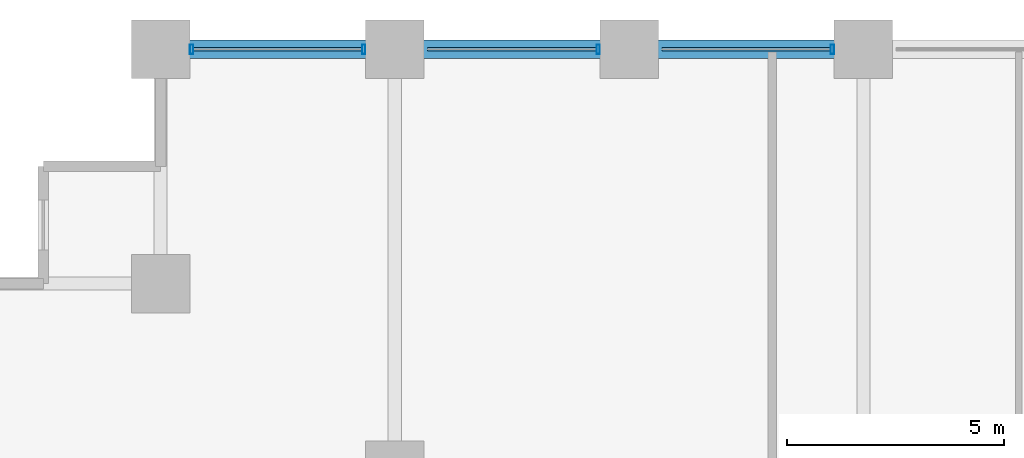
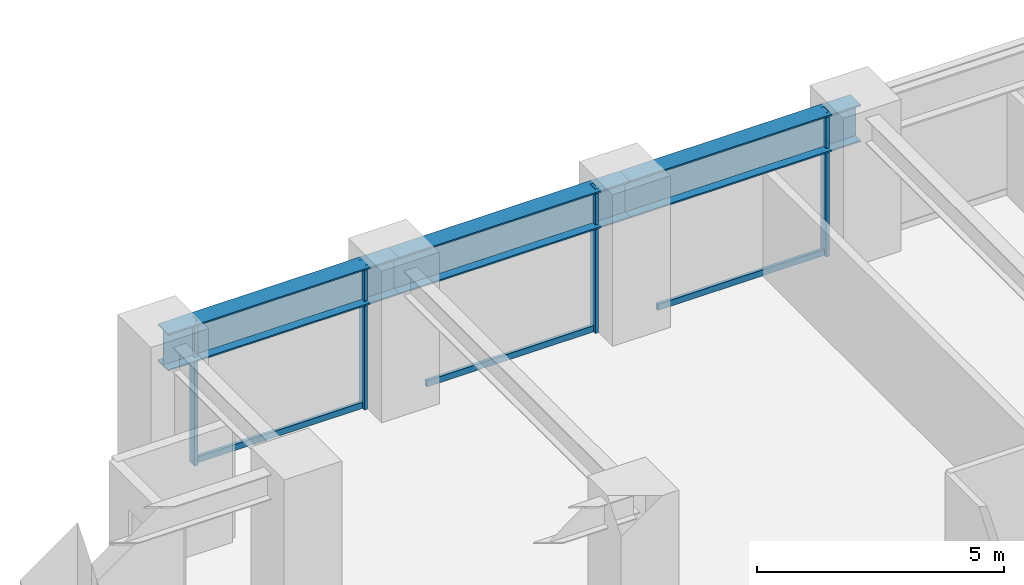
# One storey, part 12 of 25: 7 members, 3 beams, 1 element without a shape of its own.
"""IFC4 building model written with IfcOpenShell, lengths in metres."""

import ifcopenshell
import ifcopenshell.guid

model = None  # the IFC model being written
_history = None  # IfcOwnerHistory: only IFC2X3 demands one
_inside = {}  # id of a spatial element -> (the spatial element, [elements in it])
_under = {}  # id of a project, library or spatial element -> (it, [spatial elements below it])
_declared = {}  # id of a project -> (the project, [libraries it declares])
_typed = {}  # id of a type object -> (the type object, [elements of that type])
_made_of = {}  # id of a material, layer set ... -> (it, [elements and type objects made of it])


def new_model(schema):
    """Start an empty IFC model of exactly this schema.

    Asked for "IFC4X3", IfcOpenShell would pick the latest addendum, in which some entities
    have other attributes; the version numbers below select the first issue.
    IFC2X3 requires an IfcOwnerHistory on every rooted entity: one is made here for all.
    """
    global model, _history
    if schema == "IFC4X3":
        model = ifcopenshell.file(schema_version=(4, 3, 0, 0))
    else:
        model = ifcopenshell.file(schema=schema)
    _inside.clear()
    _under.clear()
    _declared.clear()
    _typed.clear()
    _made_of.clear()
    _history = None
    if model.schema == "IFC2X3":
        org = make("IfcOrganization", Name="unknown")
        user = make(
            "IfcPersonAndOrganization",
            ThePerson=make("IfcPerson", FamilyName="unknown"),
            TheOrganization=org,
        )
        app = make(
            "IfcApplication",
            ApplicationDeveloper=org,
            Version="unknown",
            ApplicationFullName="unknown",
            ApplicationIdentifier="unknown",
        )
        _history = make(
            "IfcOwnerHistory",
            OwningUser=user,
            OwningApplication=app,
            ChangeAction="ADDED",
            CreationDate=0,
        )
    return model


def make(cls, **values):
    """One entity of the class cls with the attributes given. An attribute that is None is left unset."""
    return model.create_entity(
        cls, **{name: value for name, value in values.items() if value is not None}
    )


def rooted(cls, **values):
    """An entity with a GlobalId (a new one), such as an element, a storey or a relation."""
    return make(cls, GlobalId=ifcopenshell.guid.new(), OwnerHistory=_history, **values)


def si_unit(unit_type, name, prefix=None):
    """IfcSIUnit, for example si_unit("LENGTHUNIT", "METRE", prefix="MILLI")."""
    return make("IfcSIUnit", UnitType=unit_type, Prefix=prefix, Name=name)


def assignment(units):
    """IfcUnitAssignment: the units of a project."""
    return None if units is None else make("IfcUnitAssignment", Units=units)


def point(xyz):
    """IfcCartesianPoint."""
    return None if xyz is None else make("IfcCartesianPoint", Coordinates=xyz)


def direction(xyz):
    """IfcDirection."""
    return None if xyz is None else make("IfcDirection", DirectionRatios=xyz)


def frame(location, z_axis=None, x_axis=None):
    """IfcAxis2Placement3D, a coordinate frame: its origin and axes. An axis left out is left unset."""
    return make(
        "IfcAxis2Placement3D",
        Location=point(location),
        Axis=direction(z_axis),
        RefDirection=direction(x_axis),
    )


def frame_2d(location, x_axis=None):
    """IfcAxis2Placement2D, a coordinate frame in the plane: its origin and x axis."""
    return make(
        "IfcAxis2Placement2D", Location=point(location), RefDirection=direction(x_axis)
    )


def origin():
    """The frame at (0, 0, 0) with its axes left unset."""
    return frame((0.0, 0.0, 0.0))


def origin_2d():
    """The frame at (0, 0) in the plane with its x axis left unset."""
    return frame_2d((0.0, 0.0))


def place(relative_to, where):
    """IfcLocalPlacement: puts the frame where relative to a parent placement (None: the world)."""
    return make(
        "IfcLocalPlacement", PlacementRelTo=relative_to, RelativePlacement=where
    )


def context(
    kind, dimensions, precision=None, world=None, true_north=None, identifier=None
):
    """IfcGeometricRepresentationContext, for example the 3D "Model" context."""
    return make(
        "IfcGeometricRepresentationContext",
        ContextIdentifier=identifier,
        ContextType=kind,
        CoordinateSpaceDimension=dimensions,
        Precision=precision,
        WorldCoordinateSystem=world,
        TrueNorth=true_north,
    )


def subcontext(parent, identifier, kind, view, scale=None):
    """IfcGeometricRepresentationSubContext, for example "Body" below "Model"."""
    return make(
        "IfcGeometricRepresentationSubContext",
        ContextIdentifier=identifier,
        ContextType=kind,
        ParentContext=parent,
        TargetScale=scale,
        TargetView=view,
    )


def project(units=None, contexts=None):
    """IfcProject with its units and contexts."""
    return rooted(
        "IfcProject",
        Name="project",
        RepresentationContexts=contexts,
        UnitsInContext=assignment(units),
    )


def spatial(cls, under=None, at=None, **own):
    """A site, building, storey or space (cls), placed at a placement, below another one or the project."""
    s = rooted(cls, ObjectPlacement=at, **own)
    if under is not None:
        _under.setdefault(under.id(), (under, []))[1].append(s)
    return s


def profile(cls, at=None, kind="AREA", **sizes):
    """A parametric profile (cls). Its sizes go by their IFC names, for example OverallWidth=200.0."""
    return make(cls, ProfileType=kind, Position=at, **sizes)


def hollow_rectangle(**sizes):
    """IfcRectangleHollowProfileDef."""
    return profile("IfcRectangleHollowProfileDef", **sizes)


def i_section(**sizes):
    """IfcIShapeProfileDef."""
    return profile("IfcIShapeProfileDef", **sizes)


def extrude(swept, where, along, depth):
    """IfcExtrudedAreaSolid: the profile swept, set in the frame where, extruded along a direction by depth."""
    return make(
        "IfcExtrudedAreaSolid",
        SweptArea=swept,
        Position=where,
        ExtrudedDirection=direction(along),
        Depth=depth,
    )


def shape(context_of_items, identifier, shape_type, items):
    """IfcShapeRepresentation: the items that make up one representation, for example the "Body"."""
    return make(
        "IfcShapeRepresentation",
        ContextOfItems=context_of_items,
        RepresentationIdentifier=identifier,
        RepresentationType=shape_type,
        Items=items,
    )


def material(Name=None, Category=None):
    """IfcMaterial."""
    return make("IfcMaterial", Name=Name, Category=Category)


def layer(
    of_material, thickness, ventilated=None, Name=None, Category=None, Priority=None
):
    """IfcMaterialLayer: one layer of a wall or slab, of a material (None: an air gap)."""
    return make(
        "IfcMaterialLayer",
        Material=of_material,
        LayerThickness=thickness,
        IsVentilated=ventilated,
        Name=Name,
        Category=Category,
        Priority=Priority,
    )


def layer_set(layers, Name=None):
    """IfcMaterialLayerSet."""
    return make("IfcMaterialLayerSet", MaterialLayers=layers, LayerSetName=Name)


def material_profile(
    of_material, cross_section, Name=None, Category=None, Priority=None
):
    """IfcMaterialProfile: a cross section and its material."""
    return make(
        "IfcMaterialProfile",
        Name=Name,
        Material=of_material,
        Profile=cross_section,
        Priority=Priority,
        Category=Category,
    )


def profile_set(profiles, Name=None, composite=None):
    """IfcMaterialProfileSet."""
    return make(
        "IfcMaterialProfileSet",
        Name=Name,
        MaterialProfiles=profiles,
        CompositeProfile=composite,
    )


def made_of(thing, what):
    """Note that an element or type object is made of a material, layer set ...; save() writes the relation."""
    if what is not None:
        _made_of.setdefault(what.id(), (what, []))[1].append(thing)
    return thing


def type_object(cls, material=None, **own):
    """A type object (cls), such as IfcWallType, which elements share."""
    return made_of(rooted(cls, **own), material)


def element(
    cls,
    number,
    at=None,
    inside=None,
    cuts=None,
    type_object=None,
    material=None,
    context=None,
    identifier="Body",
    shape_type=None,
    held_by="IfcProductDefinitionShape",
    body=None,
    shapes=None,
    **own,
):
    """One element of the class cls, such as IfcWall. Its Tag is "e" and its number.

    at: its placement. inside: the storey or other place that contains it. cuts: it is an
    opening in that element (IfcRelVoidsElement). A single representation is given by context,
    identifier, shape_type and body (its items); several are given by shapes. held_by: the class
    of the entity that holds the representations. save() writes the other relations.
    """
    e = rooted(cls, Tag="e%d" % number, ObjectPlacement=at, **own)
    if body is not None:
        shapes = [shape(context, identifier, shape_type, body)]
    if shapes is not None:
        e.Representation = make(held_by, Representations=shapes)
    if inside is not None:
        _inside.setdefault(inside.id(), (inside, []))[1].append(e)
    if cuts is not None:
        rooted(
            "IfcRelVoidsElement", RelatingBuildingElement=cuts, RelatedOpeningElement=e
        )
    if type_object is not None:
        _typed.setdefault(type_object.id(), (type_object, []))[1].append(e)
    return made_of(e, material)


def aggregate(whole, parts):
    """IfcRelAggregates: a whole, such as a stair, and the parts it consists of."""
    return rooted("IfcRelAggregates", RelatingObject=whole, RelatedObjects=parts)


def save(model, path):
    """Write the relations noted so far, then the file.

    IfcRelAggregates (storeys below a building ...), IfcRelContainedInSpatialStructure (elements
    in a storey), IfcRelDefinesByType, IfcRelAssociatesMaterial and IfcRelDeclares: one each for
    every whole, place, type object, material and project.
    """
    for whole, parts in _under.values():
        aggregate(whole, parts)
    for where, things in _inside.values():
        rooted(
            "IfcRelContainedInSpatialStructure",
            RelatedElements=things,
            RelatingStructure=where,
        )
    for kind, things in _typed.values():
        rooted("IfcRelDefinesByType", RelatedObjects=things, RelatingType=kind)
    for what, things in _made_of.values():
        rooted("IfcRelAssociatesMaterial", RelatedObjects=things, RelatingMaterial=what)
    for by, libraries in _declared.values():
        rooted("IfcRelDeclares", RelatingContext=by, RelatedDefinitions=libraries)
    model.write(path)


model = new_model("IFC4")

# Units and contexts
model_context = context("Model", 3, precision=1e-05, world=origin(), true_north=direction((0.0, 1.0)))
body_context = subcontext(model_context, "Body", "Model", "MODEL_VIEW")
ifc_project = project(units=[si_unit("LENGTHUNIT", "METRE"), si_unit("AREAUNIT", "SQUARE_METRE"), si_unit("VOLUMEUNIT", "CUBIC_METRE"), si_unit("PLANEANGLEUNIT", "RADIAN"), si_unit("MASSUNIT", "GRAM", prefix="KILO")], contexts=[model_context])

# Site, building, storey
site_placement = place(None, origin())
site = spatial("IfcSite", under=ifc_project, at=site_placement, CompositionType="ELEMENT")
building_placement = place(site_placement, origin())
building = spatial("IfcBuilding", under=site, at=building_placement, Name="Surkhivell Harbour Commons", CompositionType="ELEMENT")
storey_placement = place(building_placement, frame((0.0, 0.0, 45.0)))
storey = spatial("IfcBuildingStorey", under=building, at=storey_placement, Name="L11", CompositionType="ELEMENT", Elevation=45.0)

# Beams
ifc_material_1 = material(Name="Steel S460", Category="steel")
ifc_material_profile_1 = material_profile(ifc_material_1, i_section(OverallWidth=0.419921875, OverallDepth=0.9208984375, WebThickness=0.021484375, FlangeThickness=0.03662109375, at=origin_2d()), Name="UB914x419x388")
ifc_profile_set_1 = profile_set([ifc_material_profile_1], Name="Steel S460")
beam_type = type_object("IfcBeamType", Name="BM-SPN-914A", PredefinedType="SPANDREL", material=ifc_profile_set_1)
beam_1_placement = place(storey_placement, frame((-27.0, 25.89990234375, 3.109619140625), z_axis=(1.0, 0.0, 0.0), x_axis=(0.0, 1.0, 0.0)))
element("IfcBeam", 1, at=beam_1_placement, inside=storey, type_object=beam_type, Name="L11 Tube Spandrel (-27.0,25.9)", PredefinedType="SPANDREL", context=body_context, shape_type="SweptSolid", body=[
    extrude(i_section(OverallWidth=0.419921875, OverallDepth=0.9208984375, WebThickness=0.021484375, FlangeThickness=0.03662109375, at=origin_2d()), origin(), (0.0, 0.0, 1.0), 5.39990234375),
])
beam_2_placement = place(storey_placement, frame((-21.60009765625, 25.89990234375, 3.109619140625), z_axis=(1.0, 0.0, 0.0), x_axis=(0.0, 1.0, 0.0)))
element("IfcBeam", 2, at=beam_2_placement, inside=storey, type_object=beam_type, Name="L11 Tube Spandrel (-21.6,25.9)", PredefinedType="SPANDREL", context=body_context, shape_type="SweptSolid", body=[
    extrude(i_section(OverallWidth=0.419921875, OverallDepth=0.9208984375, WebThickness=0.021484375, FlangeThickness=0.03662109375, at=origin_2d()), origin(), (0.0, 0.0, 1.0), 5.400146484375),
])
beam_3_placement = place(storey_placement, frame((-16.199951171875, 25.89990234375, 3.109619140625), z_axis=(1.0, 0.0, 0.0), x_axis=(0.0, 1.0, 0.0)))
element("IfcBeam", 3, at=beam_3_placement, inside=storey, type_object=beam_type, Name="L11 Tube Spandrel (-16.2,25.9)", PredefinedType="SPANDREL", context=body_context, shape_type="SweptSolid", body=[
    extrude(i_section(OverallWidth=0.419921875, OverallDepth=0.9208984375, WebThickness=0.021484375, FlangeThickness=0.03662109375, at=origin_2d()), origin(), (0.0, 0.0, 1.0), 5.39990234375),
])

# Curtain wall, members
ifc_material_2 = material(Name="Anodised pale-metal aluminium and insulated glazing", Category="aluminium")
ifc_layer = layer(ifc_material_2, 0.219970703125)
ifc_layer_set = layer_set([ifc_layer], Name="Anodised pale-metal aluminium and insulated glazing")
curtain_wall_type = type_object("IfcCurtainWallType", Name="CW-SYS-Z1", PredefinedType="NOTDEFINED", material=ifc_layer_set)
curtain_wall_placement = place(storey_placement, origin())
curtain_wall = element("IfcCurtainWall", 4, at=curtain_wall_placement, inside=storey, type_object=curtain_wall_type, Name="L11 Curtain Wall CW-L11-E07S2", PredefinedType="NOTDEFINED")
ifc_material_3 = material(Name="Anodised pale-metal aluminium alloy 6063-T6", Category="aluminium")
ifc_material_profile_2 = material_profile(ifc_material_3, hollow_rectangle(XDim=0.074951171875, YDim=0.219970703125, WallThickness=0.00390625, at=origin_2d()), Name="ALU-MULL-75x220")
ifc_profile_set_2 = profile_set([ifc_material_profile_2], Name="Anodised pale-metal aluminium alloy 6063-T6")
member_type_1 = type_object("IfcMemberType", Name="CWM-220", PredefinedType="MULLION", material=ifc_profile_set_2)
member_1_placement = place(storey_placement, frame((-11.514404296875, 25.89990234375, 0.0), z_axis=(0.0, 0.0, 1.0), x_axis=(-1.0, 0.0, 0.0)))
member_1 = element("IfcMember", 5, at=member_1_placement, type_object=member_type_1, Name="CW-Z1 mullion 2", PredefinedType="MULLION", context=body_context, shape_type="SweptSolid", body=[
    extrude(hollow_rectangle(XDim=0.074951171875, YDim=0.219970703125, WallThickness=0.00390625, at=origin_2d()), origin(), (0.0, 0.0, 1.0), 3.570068359375),
])
member_2_placement = place(storey_placement, frame((-16.91455078125, 25.89990234375, 0.0), z_axis=(0.0, 0.0, 1.0), x_axis=(-1.0, 0.0, 0.0)))
member_2 = element("IfcMember", 6, at=member_2_placement, type_object=member_type_1, Name="CW-Z1 mullion 3", PredefinedType="MULLION", context=body_context, shape_type="SweptSolid", body=[
    extrude(hollow_rectangle(XDim=0.074951171875, YDim=0.219970703125, WallThickness=0.00390625, at=origin_2d()), origin(), (0.0, 0.0, 1.0), 3.570068359375),
])
member_3_placement = place(storey_placement, frame((-22.314453125, 25.89990234375, 0.0), z_axis=(0.0, 0.0, 1.0), x_axis=(-1.0, 0.0, 0.0)))
member_3 = element("IfcMember", 7, at=member_3_placement, type_object=member_type_1, Name="CW-Z1 mullion 4", PredefinedType="MULLION", context=body_context, shape_type="SweptSolid", body=[
    extrude(hollow_rectangle(XDim=0.074951171875, YDim=0.219970703125, WallThickness=0.00390625, at=origin_2d()), origin(), (0.0, 0.0, 1.0), 3.570068359375),
])
member_4_placement = place(storey_placement, frame((-26.285400390625, 25.89990234375, 0.0), z_axis=(0.0, 0.0, 1.0), x_axis=(-1.0, 0.0, 0.0)))
member_4 = element("IfcMember", 8, at=member_4_placement, type_object=member_type_1, Name="CW-Z1 mullion 5", PredefinedType="MULLION", context=body_context, shape_type="SweptSolid", body=[
    extrude(hollow_rectangle(XDim=0.074951171875, YDim=0.219970703125, WallThickness=0.00390625, at=origin_2d()), origin(), (0.0, 0.0, 1.0), 3.570068359375),
])
ifc_material_profile_3 = material_profile(ifc_material_3, hollow_rectangle(XDim=0.074951171875, YDim=0.14990234375, WallThickness=0.00341796875, at=origin_2d()), Name="ALU-TRAN-75x150")
ifc_profile_set_3 = profile_set([ifc_material_profile_3], Name="Anodised pale-metal aluminium alloy 6063-T6")
member_type_2 = type_object("IfcMemberType", Name="CWT-150", PredefinedType="USERDEFINED", material=ifc_profile_set_3)
member_5_placement = place(storey_placement, frame((-11.552001953125, 25.89990234375, 0.074951171875), z_axis=(-1.0, 0.0, 0.0), x_axis=(0.0, -1.0, 0.0)))
member_5 = element("IfcMember", 9, at=member_5_placement, type_object=member_type_2, Name="CW-Z1 transom 2.1", ObjectType="TRANSOM", PredefinedType="USERDEFINED", context=body_context, shape_type="SweptSolid", body=[
    extrude(hollow_rectangle(XDim=0.074951171875, YDim=0.14990234375, WallThickness=0.00341796875, at=origin_2d()), origin(), (0.0, 0.0, 1.0), 3.89599609375),
])
member_6_placement = place(storey_placement, frame((-16.951904296875, 25.89990234375, 0.074951171875), z_axis=(-1.0, 0.0, 0.0), x_axis=(0.0, -1.0, 0.0)))
member_6 = element("IfcMember", 10, at=member_6_placement, type_object=member_type_2, Name="CW-Z1 transom 3.1", ObjectType="TRANSOM", PredefinedType="USERDEFINED", context=body_context, shape_type="SweptSolid", body=[
    extrude(hollow_rectangle(XDim=0.074951171875, YDim=0.14990234375, WallThickness=0.00341796875, at=origin_2d()), origin(), (0.0, 0.0, 1.0), 3.89599609375),
])
member_7_placement = place(storey_placement, frame((-22.35205078125, 25.89990234375, 0.074951171875), z_axis=(-1.0, 0.0, 0.0), x_axis=(0.0, -1.0, 0.0)))
member_7 = element("IfcMember", 11, at=member_7_placement, type_object=member_type_2, Name="CW-Z1 transom 4.1", ObjectType="TRANSOM", PredefinedType="USERDEFINED", context=body_context, shape_type="SweptSolid", body=[
    extrude(hollow_rectangle(XDim=0.074951171875, YDim=0.14990234375, WallThickness=0.00341796875, at=origin_2d()), origin(), (0.0, 0.0, 1.0), 3.89599609375),
])
aggregate(curtain_wall, [member_1, member_5, member_2, member_6, member_3, member_4, member_7])

save(model, "model.ifc")
